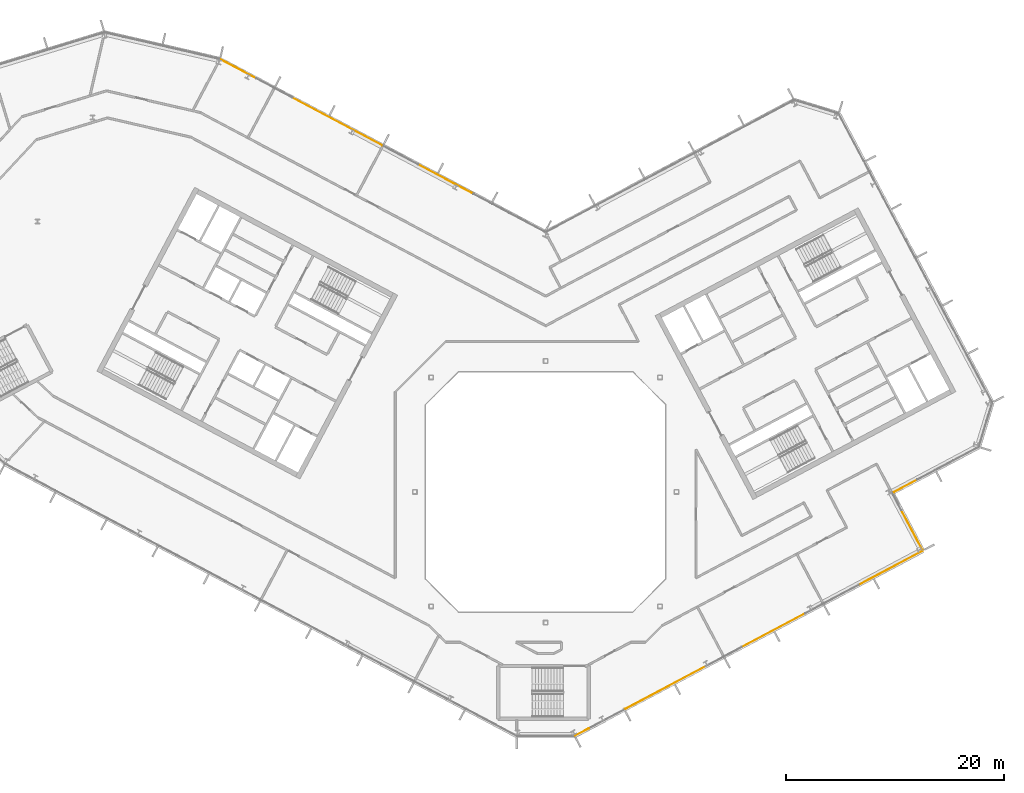
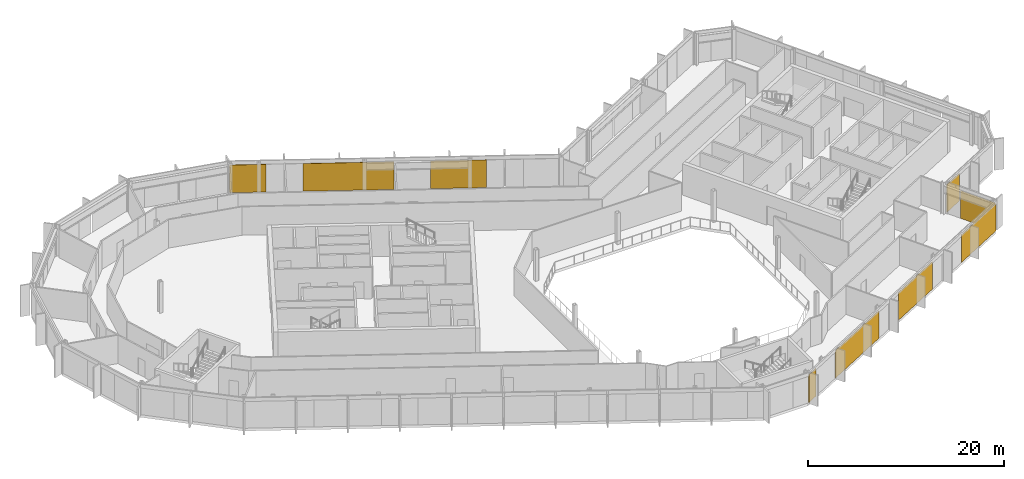
# One storey, part 24 of 26: 9 coverings, 4 elements without a shape of their own.
"""IFC4 building model written with IfcOpenShell, lengths in metres."""

from ifc_helpers import new_model, si_unit, direction, frame, origin, origin_2d, place, context, subcontext, project, spatial, rectangle, extrude, material, layer, layer_set, type_object, element, aggregate, save


model = new_model("IFC4")

# Units and contexts
model_context = context("Model", 3, precision=1e-05, world=origin(), true_north=direction((0.0, 1.0)))
body_context = subcontext(model_context, "Body", "Model", "MODEL_VIEW")
ifc_project = project(units=[si_unit("LENGTHUNIT", "METRE"), si_unit("AREAUNIT", "SQUARE_METRE"), si_unit("VOLUMEUNIT", "CUBIC_METRE"), si_unit("PLANEANGLEUNIT", "RADIAN"), si_unit("MASSUNIT", "GRAM", prefix="KILO")], contexts=[model_context])

# Site, building, storey
site_placement = place(None, origin())
site = spatial("IfcSite", under=ifc_project, at=site_placement, CompositionType="ELEMENT")
building_placement = place(site_placement, origin())
building = spatial("IfcBuilding", under=site, at=building_placement, Name="Cormorant Relay Tower", CompositionType="ELEMENT")
storey_placement = place(building_placement, frame((0.0, 0.0, 308.699951171875)))
storey = spatial("IfcBuildingStorey", under=building, at=storey_placement, Name="L70", CompositionType="ELEMENT", Elevation=308.699951171875)

# Curtain wall, coverings
ifc_material_1 = material(Name="Aluminium 6063-T6 anodised bronze", Category="aluminium")
ifc_layer_1 = layer(ifc_material_1, 0.199951171875)
ifc_layer_set_1 = layer_set([ifc_layer_1], Name="CW1 unitised bronze curtain wall with vertical fins")
curtain_wall_type = type_object("IfcCurtainWallType", Name="CW1 unitised bronze curtain wall with vertical fins", PredefinedType="NOTDEFINED", material=ifc_layer_set_1)
curtain_wall_1_placement = place(storey_placement, origin())
curtain_wall_1 = element("IfcCurtainWall", 1, at=curtain_wall_1_placement, inside=storey, type_object=curtain_wall_type, Name="CW1 curtain wall 2", PredefinedType="NOTDEFINED")
ifc_material_2 = material(Name="Pale bronze anodised aluminium insulated panel", Category="aluminium")
ifc_layer_2 = layer(ifc_material_2, 0.0400390625)
ifc_layer_set_2 = layer_set([ifc_layer_2], Name="CW1 pale bronze insulated panel 40")
covering_type = type_object("IfcCoveringType", Name="CW1 pale bronze insulated panel 40", PredefinedType="CLADDING", material=ifc_layer_set_2)
covering_1_placement = place(storey_placement, frame((3.349853515625, -22.025390625, 0.0), z_axis=(0.0, 0.0, 1.0), x_axis=(0.882947592859, 0.469471562786, 0.0)))
covering_1 = element("IfcCovering", 2, at=covering_1_placement, type_object=covering_type, Name="CW1 panel S00", PredefinedType="CLADDING", context=body_context, shape_type="SweptSolid", body=[
    extrude(rectangle(XDim=1.41650390625, YDim=0.0400390625, at=origin_2d()), origin(), (0.0, 0.0, 1.0), 3.449951171875),
])
covering_2_placement = place(storey_placement, frame((10.9873046875, -17.964599609375, 0.0), z_axis=(0.0, 0.0, 1.0), x_axis=(0.882947592859, 0.469471562786, 0.0)))
covering_2 = element("IfcCovering", 3, at=covering_2_placement, type_object=covering_type, Name="CW1 panel S02", PredefinedType="CLADDING", context=body_context, shape_type="SweptSolid", body=[
    extrude(rectangle(XDim=8.383056640625, YDim=0.0400390625, at=origin_2d()), origin(), (0.0, 0.0, 1.0), 3.449951171875),
])
covering_3_placement = place(storey_placement, frame((20.905517578125, -12.69091796875, 0.0), z_axis=(0.0, 0.0, 1.0), x_axis=(0.882947592859, 0.469471562786, 0.0)))
covering_3 = element("IfcCovering", 4, at=covering_3_placement, type_object=covering_type, Name="CW1 panel S05", PredefinedType="CLADDING", context=body_context, shape_type="SweptSolid", body=[
    extrude(rectangle(XDim=6.5830078125, YDim=0.0400390625, at=origin_2d()), origin(), (0.0, 0.0, 1.0), 3.449951171875),
])
covering_4_placement = place(storey_placement, frame((31.6513671875, -6.977294921875, 0.0), z_axis=(0.0, 0.0, 1.0), x_axis=(0.882947592859, 0.469471562786, 0.0)))
covering_4 = element("IfcCovering", 5, at=covering_4_placement, type_object=covering_type, Name="CW1 panel S08", PredefinedType="CLADDING", context=body_context, shape_type="SweptSolid", body=[
    extrude(rectangle(XDim=6.658203125, YDim=0.0400390625, at=origin_2d()), origin(), (0.0, 0.0, 1.0), 3.449951171875),
])
aggregate(curtain_wall_1, [covering_1, covering_2, covering_3, covering_4])

# Curtain wall, covering
curtain_wall_2_placement = place(storey_placement, origin())
curtain_wall_2 = element("IfcCurtainWall", 6, at=curtain_wall_2_placement, inside=storey, type_object=curtain_wall_type, Name="CW1 curtain wall 3", PredefinedType="NOTDEFINED")
covering_5_placement = place(storey_placement, frame((33.595703125, -3.5, 0.0), z_axis=(0.0, 0.0, 1.0), x_axis=(-0.469471562786, 0.882947592859, 0.0)))
covering_5 = element("IfcCovering", 7, at=covering_5_placement, type_object=covering_type, Name="CW1 panel S00", PredefinedType="CLADDING", context=body_context, shape_type="SweptSolid", body=[
    extrude(rectangle(XDim=4.125, YDim=0.0400390625, at=origin_2d()), origin(), (0.0, 0.0, 1.0), 3.449951171875),
])
aggregate(curtain_wall_2, [covering_5])

curtain_wall_3_placement = place(storey_placement, origin())
curtain_wall_3 = element("IfcCurtainWall", 8, at=curtain_wall_3_placement, inside=storey, type_object=curtain_wall_type, Name="CW1 curtain wall 4", PredefinedType="NOTDEFINED")
covering_6_placement = place(storey_placement, frame((32.9990234375, 0.53466796875, 0.0), z_axis=(0.0, 0.0, 1.0), x_axis=(0.882947592859, 0.469471562786, 0.0)))
covering_6 = element("IfcCovering", 9, at=covering_6_placement, type_object=covering_type, Name="CW1 panel S00", PredefinedType="CLADDING", context=body_context, shape_type="SweptSolid", body=[
    extrude(rectangle(XDim=2.47509765625, YDim=0.0400390625, at=origin_2d()), origin(), (0.0, 0.0, 1.0), 3.449951171875),
])
aggregate(curtain_wall_3, [covering_6])

# Curtain wall, coverings
curtain_wall_4_placement = place(storey_placement, origin())
curtain_wall_4 = element("IfcCurtainWall", 10, at=curtain_wall_4_placement, inside=storey, type_object=curtain_wall_type, Name="CW1 curtain wall 9", PredefinedType="NOTDEFINED")
covering_7_placement = place(storey_placement, frame((-9.15380859375, 28.673828125, 0.0), z_axis=(0.0, 0.0, 1.0), x_axis=(-0.882947592859, 0.469471562786, 0.0)))
covering_7 = element("IfcCovering", 11, at=covering_7_placement, type_object=covering_type, Name="CW1 panel S03", PredefinedType="CLADDING", context=body_context, shape_type="SweptSolid", body=[
    extrude(rectangle(XDim=5.72802734375, YDim=0.0400390625, at=origin_2d()), origin(), (0.0, 0.0, 1.0), 3.449951171875),
])
covering_8_placement = place(storey_placement, frame((-19.11181640625, 33.968505859375, 0.0), z_axis=(0.0, 0.0, 1.0), x_axis=(-0.882947592859, 0.469471562786, 0.0)))
covering_8 = element("IfcCovering", 12, at=covering_8_placement, type_object=covering_type, Name="CW1 panel S05", PredefinedType="CLADDING", context=body_context, shape_type="SweptSolid", body=[
    extrude(rectangle(XDim=9.327880859375, YDim=0.0400390625, at=origin_2d()), origin(), (0.0, 0.0, 1.0), 3.449951171875),
])
covering_9_placement = place(storey_placement, frame((-28.20263671875, 38.80224609375, 0.0), z_axis=(0.0, 0.0, 1.0), x_axis=(-0.882947592859, 0.469471562786, 0.0)))
covering_9 = element("IfcCovering", 13, at=covering_9_placement, type_object=covering_type, Name="CW1 panel S08", PredefinedType="CLADDING", context=body_context, shape_type="SweptSolid", body=[
    extrude(rectangle(XDim=3.763916015625, YDim=0.0400390625, at=origin_2d()), origin(), (0.0, 0.0, 1.0), 3.449951171875),
])
aggregate(curtain_wall_4, [covering_7, covering_8, covering_9])

save(model, "model.ifc")
